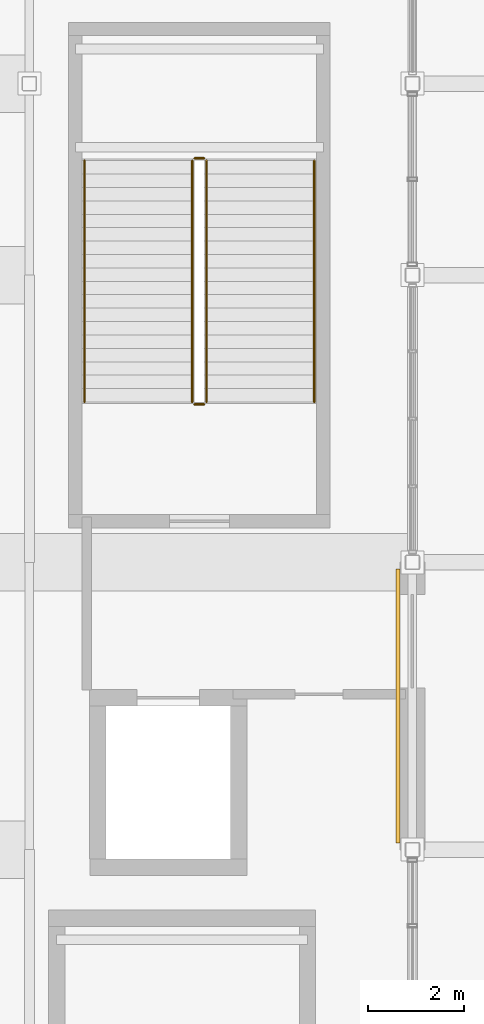
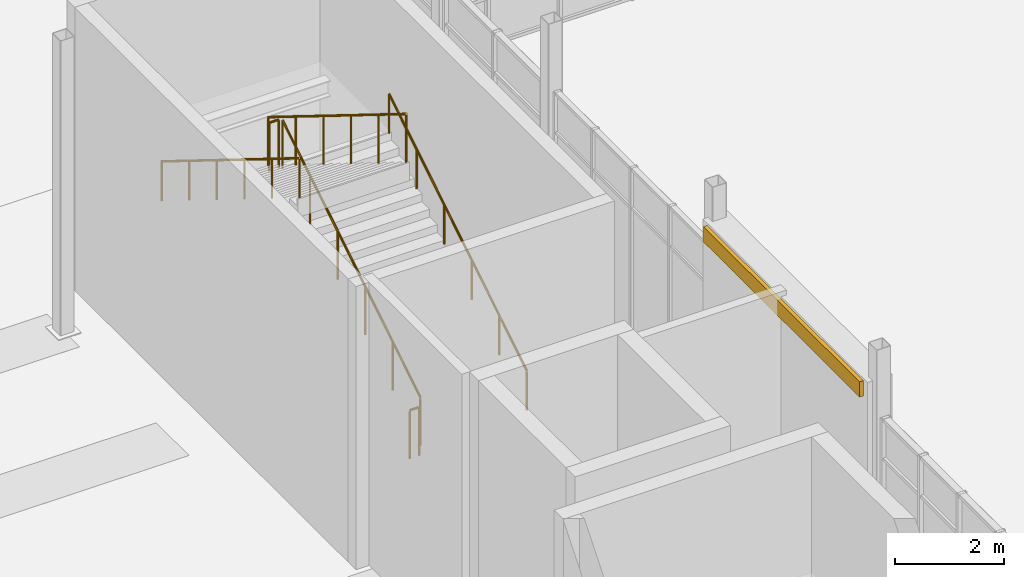
# One storey, part 136 of 140: 6 railings, 1 covering.
"""IFC4 building model written with IfcOpenShell, lengths in metres."""

from ifc_helpers import new_model, si_unit, direction, frame, origin, origin_2d, place, context, subcontext, project, spatial, rectangle, circle, extrude, material, layer, layer_set, type_object, element, save


model = new_model("IFC4")

# Units and contexts
model_context = context("Model", 3, precision=1e-05, world=origin(), true_north=direction((0.0, 1.0)))
body_context = subcontext(model_context, "Body", "Model", "MODEL_VIEW")
ifc_project = project(units=[si_unit("LENGTHUNIT", "METRE"), si_unit("AREAUNIT", "SQUARE_METRE"), si_unit("VOLUMEUNIT", "CUBIC_METRE"), si_unit("PLANEANGLEUNIT", "RADIAN"), si_unit("MASSUNIT", "GRAM", prefix="KILO")], contexts=[model_context])

# Site, building, storey
site_placement = place(None, origin())
site = spatial("IfcSite", under=ifc_project, at=site_placement, CompositionType="ELEMENT")
building_placement = place(site_placement, origin())
building = spatial("IfcBuilding", under=site, at=building_placement, Name="Verrall Gate Interchange", CompositionType="ELEMENT")
storey_placement = place(building_placement, origin())
storey = spatial("IfcBuildingStorey", under=building, at=storey_placement, Name="L01", CompositionType="ELEMENT", Elevation=0.0)

# Covering
ifc_material_1 = material(Name="Tyndall Dolomitic Limestone Ashlar Cavity Assembly (U=0.18)", Category="masonry")
ifc_layer = layer(ifc_material_1, 0.080078125)
ifc_layer_set = layer_set([ifc_layer], Name="Tyndall Dolomitic Limestone Ashlar Cavity Assembly (U=0.18)")
covering_type = type_object("IfcCoveringType", Name="CLD-01 Tyndall Cornice Cladding Band", PredefinedType="CLADDING", material=ifc_layer_set)
covering_placement = place(storey_placement, frame((107.699951171875, 31.0, 5.44677734375), z_axis=(0.0, 0.0, 1.0), x_axis=(0.0, -1.0, 0.0)))
element("IfcCovering", 1, at=covering_placement, inside=storey, type_object=covering_type, Name="Classical Tyndall Cornice Band 016", PredefinedType="CLADDING", context=body_context, shape_type="SweptSolid", body=[
    extrude(rectangle(XDim=5.716064453125, YDim=0.080078125, at=origin_2d()), origin(), (0.0, 0.0, 1.0), 0.340087890625),
])

# Railings
ifc_material_2 = material(Name="Brushed Stainless-Steel Guardrail and Handrail System", Category="steel")
railing_type_1 = type_object("IfcRailingType", Name="GR-02 Interior Atrium and Stair Guardrail 1100", PredefinedType="GUARDRAIL", material=ifc_material_2)
railing_1_placement = place(storey_placement, frame((103.699951171875, 37.35009765625, 0.173583984375)))
element("IfcRailing", 2, at=railing_1_placement, inside=storey, type_object=railing_type_1, Name="L01 ST-07 stair guard 1", PredefinedType="GUARDRAIL", context=body_context, shape_type="SweptSolid", body=[
    extrude(circle(Radius=0.02392578125, at=origin_2d()), frame((0.0, 0.0, 1.076171875), z_axis=(0.0, 0.84976734637, 0.527157905227), x_axis=(-1.0, 0.0, 0.0)), (0.0, 0.0, 1.0), 5.930908203125),
    extrude(circle(Radius=0.02099609375, at=origin_2d()), origin(), (0.0, 0.0, 1.0), 1.052001953125),
    extrude(circle(Radius=0.02099609375, at=origin_2d()), frame((0.0, 1.008056640625, 0.625244140625)), (0.0, 0.0, 1.0), 1.052001953125),
    extrude(circle(Radius=0.02099609375, at=origin_2d()), frame((0.0, 2.015869140625, 1.25048828125)), (0.0, 0.0, 1.0), 1.052001953125),
    extrude(circle(Radius=0.02099609375, at=origin_2d()), frame((0.0, 3.02392578125, 1.8759765625)), (0.0, 0.0, 1.0), 1.052001953125),
    extrude(circle(Radius=0.02099609375, at=origin_2d()), frame((0.0, 4.03173828125, 2.501220703125)), (0.0, 0.0, 1.0), 1.052001953125),
    extrude(circle(Radius=0.02099609375, at=origin_2d()), frame((0.0, 5.039794921875, 3.12646484375)), (0.0, 0.0, 1.0), 1.052001953125),
])
railing_2_placement = place(storey_placement, frame((103.64990234375, 42.43994140625, 3.300048828125)))
element("IfcRailing", 3, at=railing_2_placement, inside=storey, type_object=railing_type_1, Name="L01 ST-07 stair guard 2", PredefinedType="GUARDRAIL", context=body_context, shape_type="SweptSolid", body=[
    extrude(circle(Radius=0.02392578125, at=origin_2d()), frame((0.0, 0.0, 1.076171875), z_axis=(-1.0, 0.0, 0.0), x_axis=(0.0, -1.0, 0.0)), (0.0, 0.0, 1.0), 0.199951171875),
    extrude(circle(Radius=0.02099609375, at=origin_2d()), origin(), (0.0, 0.0, 1.0), 1.052001953125),
    extrude(circle(Radius=0.02099609375, at=origin_2d()), frame((-0.199951171875, 0.0, 0.0)), (0.0, 0.0, 1.0), 1.052001953125),
])
railing_3_placement = place(storey_placement, frame((103.39990234375, 42.389892578125, 3.4736328125)))
element("IfcRailing", 4, at=railing_3_placement, inside=storey, type_object=railing_type_1, Name="L01 ST-07 stair guard 3", PredefinedType="GUARDRAIL", context=body_context, shape_type="SweptSolid", body=[
    extrude(circle(Radius=0.02392578125, at=origin_2d()), frame((0.0, 0.0, 1.076171875), z_axis=(0.0, -0.84976734637, 0.527157905227), x_axis=(1.0, 0.0, 0.0)), (0.0, 0.0, 1.0), 5.930908203125),
    extrude(circle(Radius=0.02099609375, at=origin_2d()), origin(), (0.0, 0.0, 1.0), 1.052001953125),
    extrude(circle(Radius=0.02099609375, at=origin_2d()), frame((0.0, -1.008056640625, 0.625244140625)), (0.0, 0.0, 1.0), 1.052001953125),
    extrude(circle(Radius=0.02099609375, at=origin_2d()), frame((0.0, -2.015869140625, 1.25048828125)), (0.0, 0.0, 1.0), 1.052001953125),
    extrude(circle(Radius=0.02099609375, at=origin_2d()), frame((0.0, -3.02392578125, 1.8759765625)), (0.0, 0.0, 1.0), 1.052001953125),
    extrude(circle(Radius=0.02099609375, at=origin_2d()), frame((0.0, -4.03173828125, 2.501220703125)), (0.0, 0.0, 1.0), 1.052001953125),
    extrude(circle(Radius=0.02099609375, at=origin_2d()), frame((0.0, -5.039794921875, 3.12646484375)), (0.0, 0.0, 1.0), 1.052001953125),
])
railing_4_placement = place(storey_placement, frame((103.64990234375, 37.300048828125, 0.0)))
element("IfcRailing", 5, at=railing_4_placement, inside=storey, type_object=railing_type_1, Name="L01 ST-07 stair guard 4", PredefinedType="GUARDRAIL", context=body_context, shape_type="SweptSolid", body=[
    extrude(circle(Radius=0.02392578125, at=origin_2d()), frame((0.0, 0.0, 1.076171875), z_axis=(-1.0, 0.0, 0.0), x_axis=(0.0, -1.0, 0.0)), (0.0, 0.0, 1.0), 0.199951171875),
    extrude(circle(Radius=0.02099609375, at=origin_2d()), origin(), (0.0, 0.0, 1.0), 1.052001953125),
    extrude(circle(Radius=0.02099609375, at=origin_2d()), frame((-0.199951171875, 0.0, 0.0)), (0.0, 0.0, 1.0), 1.052001953125),
])
ifc_material_3 = material(Name="Brushed Stainless-Steel Guardrail and Handrail System", Category="steel")
railing_type_2 = type_object("IfcRailingType", Name="HR-01 Stair and Ramp Pitch-Line Handrail 920", PredefinedType="HANDRAIL", material=ifc_material_3)
railing_5_placement = place(storey_placement, frame((105.949951171875, 37.35009765625, 0.173583984375)))
element("IfcRailing", 6, at=railing_5_placement, inside=storey, type_object=railing_type_2, Name="L01 ST-07 stair handrail 1", PredefinedType="HANDRAIL", context=body_context, shape_type="SweptSolid", body=[
    extrude(circle(Radius=0.02392578125, at=origin_2d()), frame((0.0, 0.0, 0.8759765625), z_axis=(0.0, 0.84976734637, 0.527157905227), x_axis=(-1.0, 0.0, 0.0)), (0.0, 0.0, 1.0), 5.930908203125),
    extrude(circle(Radius=0.02099609375, at=origin_2d()), origin(), (0.0, 0.0, 1.0), 0.851806640625),
    extrude(circle(Radius=0.02099609375, at=origin_2d()), frame((0.0, 1.008056640625, 0.625244140625)), (0.0, 0.0, 1.0), 0.851806640625),
    extrude(circle(Radius=0.02099609375, at=origin_2d()), frame((0.0, 2.015869140625, 1.25048828125)), (0.0, 0.0, 1.0), 0.851806640625),
    extrude(circle(Radius=0.02099609375, at=origin_2d()), frame((0.0, 3.02392578125, 1.8759765625)), (0.0, 0.0, 1.0), 0.851806640625),
    extrude(circle(Radius=0.02099609375, at=origin_2d()), frame((0.0, 4.03173828125, 2.501220703125)), (0.0, 0.0, 1.0), 0.851806640625),
    extrude(circle(Radius=0.02099609375, at=origin_2d()), frame((0.0, 5.039794921875, 3.12646484375)), (0.0, 0.0, 1.0), 0.851806640625),
])
railing_6_placement = place(storey_placement, frame((101.14990234375, 42.389892578125, 3.4736328125)))
element("IfcRailing", 7, at=railing_6_placement, inside=storey, type_object=railing_type_2, Name="L01 ST-07 stair handrail 2", PredefinedType="HANDRAIL", context=body_context, shape_type="SweptSolid", body=[
    extrude(circle(Radius=0.02392578125, at=origin_2d()), frame((0.0, 0.0, 0.8759765625), z_axis=(0.0, -0.84976734637, 0.527157905227), x_axis=(1.0, 0.0, 0.0)), (0.0, 0.0, 1.0), 5.930908203125),
    extrude(circle(Radius=0.02099609375, at=origin_2d()), origin(), (0.0, 0.0, 1.0), 0.851806640625),
    extrude(circle(Radius=0.02099609375, at=origin_2d()), frame((0.0, -1.008056640625, 0.625244140625)), (0.0, 0.0, 1.0), 0.851806640625),
    extrude(circle(Radius=0.02099609375, at=origin_2d()), frame((0.0, -2.015869140625, 1.25048828125)), (0.0, 0.0, 1.0), 0.851806640625),
    extrude(circle(Radius=0.02099609375, at=origin_2d()), frame((0.0, -3.02392578125, 1.8759765625)), (0.0, 0.0, 1.0), 0.851806640625),
    extrude(circle(Radius=0.02099609375, at=origin_2d()), frame((0.0, -4.03173828125, 2.501220703125)), (0.0, 0.0, 1.0), 0.851806640625),
    extrude(circle(Radius=0.02099609375, at=origin_2d()), frame((0.0, -5.039794921875, 3.12646484375)), (0.0, 0.0, 1.0), 0.851806640625),
])

save(model, "model.ifc")
